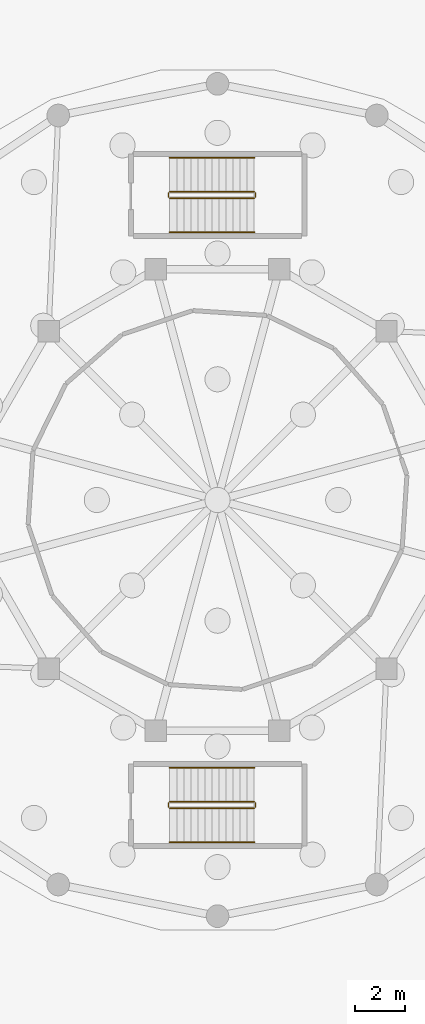
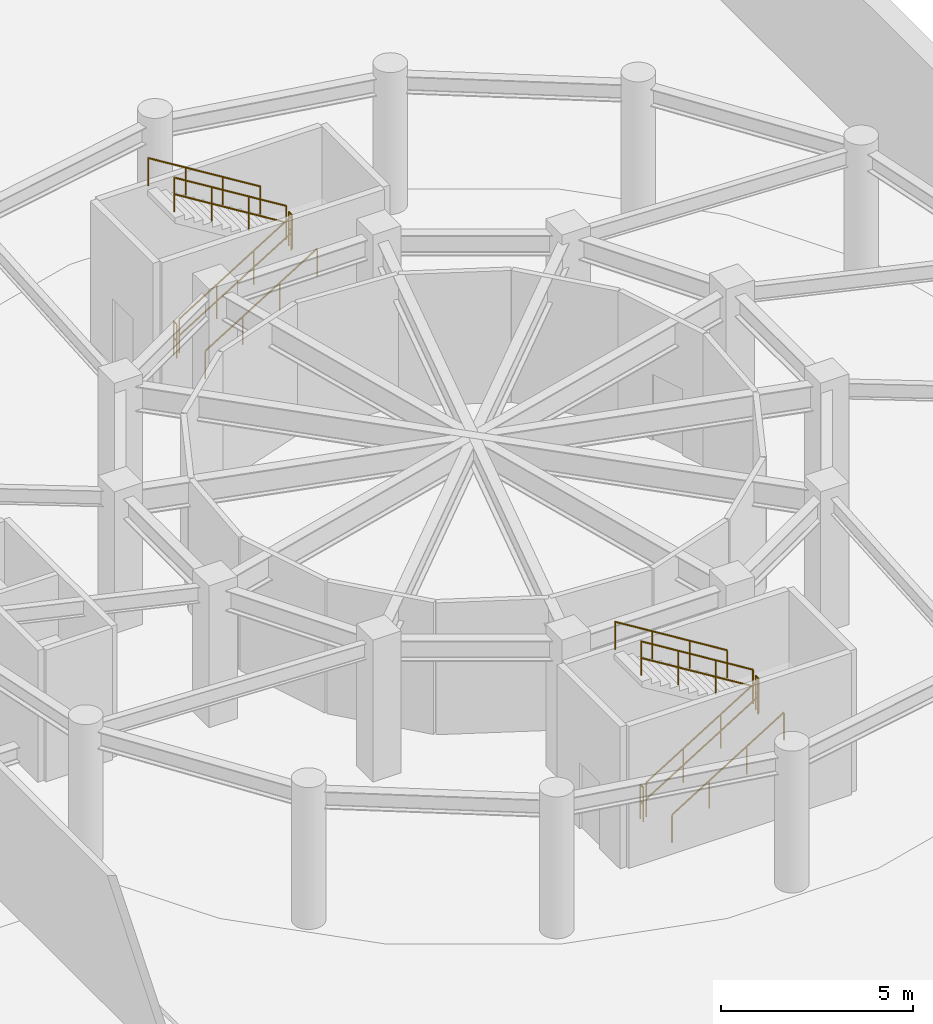
# One storey, part 14 of 15: 12 railings.
"""IFC4 building model written with IfcOpenShell, lengths in metres."""

from ifc_helpers import new_model, si_unit, derived_unit, direction, frame, origin, origin_2d, place, context, subcontext, project, spatial, circle, extrude, material, type_object, element, save


model = new_model("IFC4")

# Units and contexts
model_context = context("Model", 3, precision=1e-05, world=origin(), true_north=direction((0.0, 1.0)))
body_context = subcontext(model_context, "Body", "Model", "MODEL_VIEW")
ifc_project = project(units=[si_unit("LENGTHUNIT", "METRE"), si_unit("AREAUNIT", "SQUARE_METRE"), si_unit("VOLUMEUNIT", "CUBIC_METRE"), si_unit("PLANEANGLEUNIT", "RADIAN"), si_unit("MASSUNIT", "GRAM", prefix="KILO"), derived_unit("THERMALTRANSMITTANCEUNIT", [(si_unit("POWERUNIT", "WATT"), 1), (si_unit("LENGTHUNIT", "METRE"), -2), (si_unit("THERMODYNAMICTEMPERATUREUNIT", "KELVIN"), -1)])], contexts=[model_context])

# Site, building, storey
site_placement = place(None, origin())
site = spatial("IfcSite", under=ifc_project, at=site_placement, CompositionType="ELEMENT")
building_placement = place(site_placement, origin())
building = spatial("IfcBuilding", under=site, at=building_placement, Name="Korsvarv Bourse and Concert Hall", CompositionType="ELEMENT")
storey_placement = place(building_placement, frame((0.0, 0.0, -9.0)))
storey = spatial("IfcBuildingStorey", under=building, at=storey_placement, Name="B02", CompositionType="ELEMENT", Elevation=-9.0)

# Railings
ifc_material_1 = material(Name="Painted Steel S355 stair well guardrail", Category="steel")
railing_type_1 = type_object("IfcRailingType", Name="RL-ST-GRD", PredefinedType="GUARDRAIL", material=ifc_material_1)
railing_1_placement = place(storey_placement, frame((104.89990234375, 48.0, 0.173095703125)))
element("IfcRailing", 1, at=railing_1_placement, inside=storey, type_object=railing_type_1, Name="B02 ST-CH1 stair guard 1", PredefinedType="GUARDRAIL", context=body_context, shape_type="SweptSolid", body=[
    extrude(circle(Radius=0.02392578125, at=origin_2d()), frame((0.0, 0.0, 1.076171875), z_axis=(0.850623216509, 0.0, 0.525775754039), x_axis=(0.0, 1.0, 0.0)), (0.0, 0.0, 1.0), 3.9501953125),
    extrude(circle(Radius=0.02392578125, at=origin_2d()), frame((0.0, 0.0, 0.550048828125), z_axis=(0.850623216509, 0.0, 0.525775754039), x_axis=(0.0, 1.0, 0.0)), (0.0, 0.0, 1.0), 3.9501953125),
    extrude(circle(Radius=0.02099609375, at=origin_2d()), origin(), (0.0, 0.0, 1.0), 1.052001953125),
    extrude(circle(Radius=0.02099609375, at=origin_2d()), frame((1.1201171875, 0.0, 0.6923828125)), (0.0, 0.0, 1.0), 1.052001953125),
    extrude(circle(Radius=0.02099609375, at=origin_2d()), frame((2.239990234375, 0.0, 1.384521484375)), (0.0, 0.0, 1.0), 1.052001953125),
    extrude(circle(Radius=0.02099609375, at=origin_2d()), frame((3.360107421875, 0.0, 2.076904296875)), (0.0, 0.0, 1.0), 1.052001953125),
])
railing_2_placement = place(storey_placement, frame((108.31005859375, 48.050048828125, 2.25)))
element("IfcRailing", 2, at=railing_2_placement, inside=storey, type_object=railing_type_1, Name="B02 ST-CH1 stair guard 2", PredefinedType="GUARDRAIL", context=body_context, shape_type="SweptSolid", body=[
    extrude(circle(Radius=0.02392578125, at=origin_2d()), frame((0.0, 0.0, 1.076171875), z_axis=(0.0, 1.0, 0.0), x_axis=(-1.0, 0.0, 0.0)), (0.0, 0.0, 1.0), 0.159912109375),
    extrude(circle(Radius=0.02392578125, at=origin_2d()), frame((0.0, 0.0, 0.550048828125), z_axis=(0.0, 1.0, 0.0), x_axis=(-1.0, 0.0, 0.0)), (0.0, 0.0, 1.0), 0.159912109375),
    extrude(circle(Radius=0.02099609375, at=origin_2d()), origin(), (0.0, 0.0, 1.0), 1.052001953125),
    extrude(circle(Radius=0.02099609375, at=origin_2d()), frame((0.0, 0.159912109375, 0.0)), (0.0, 0.0, 1.0), 1.052001953125),
])
railing_3_placement = place(storey_placement, frame((108.260009765625, 48.260009765625, 2.423095703125)))
element("IfcRailing", 3, at=railing_3_placement, inside=storey, type_object=railing_type_1, Name="B02 ST-CH1 stair guard 3", PredefinedType="GUARDRAIL", context=body_context, shape_type="SweptSolid", body=[
    extrude(circle(Radius=0.02392578125, at=origin_2d()), frame((0.0, 0.0, 1.076171875), z_axis=(-0.850623216509, 0.0, 0.525775754039), x_axis=(0.0, -1.0, 0.0)), (0.0, 0.0, 1.0), 3.9501953125),
    extrude(circle(Radius=0.02392578125, at=origin_2d()), frame((0.0, 0.0, 0.550048828125), z_axis=(-0.850623216509, 0.0, 0.525775754039), x_axis=(0.0, -1.0, 0.0)), (0.0, 0.0, 1.0), 3.9501953125),
    extrude(circle(Radius=0.02099609375, at=origin_2d()), origin(), (0.0, 0.0, 1.0), 1.052001953125),
    extrude(circle(Radius=0.02099609375, at=origin_2d()), frame((-1.1201171875, 0.0, 0.6923828125)), (0.0, 0.0, 1.0), 1.052001953125),
    extrude(circle(Radius=0.02099609375, at=origin_2d()), frame((-2.239990234375, 0.0, 1.384521484375)), (0.0, 0.0, 1.0), 1.052001953125),
    extrude(circle(Radius=0.02099609375, at=origin_2d()), frame((-3.360107421875, 0.0, 2.076904296875)), (0.0, 0.0, 1.0), 1.052001953125),
])
railing_4_placement = place(storey_placement, frame((104.85009765625, 48.050048828125, 0.0)))
element("IfcRailing", 4, at=railing_4_placement, inside=storey, type_object=railing_type_1, Name="B02 ST-CH1 stair guard 4", PredefinedType="GUARDRAIL", context=body_context, shape_type="SweptSolid", body=[
    extrude(circle(Radius=0.02392578125, at=origin_2d()), frame((0.0, 0.0, 1.076171875), z_axis=(0.0, 1.0, 0.0), x_axis=(-1.0, 0.0, 0.0)), (0.0, 0.0, 1.0), 0.159912109375),
    extrude(circle(Radius=0.02392578125, at=origin_2d()), frame((0.0, 0.0, 0.550048828125), z_axis=(0.0, 1.0, 0.0), x_axis=(-1.0, 0.0, 0.0)), (0.0, 0.0, 1.0), 0.159912109375),
    extrude(circle(Radius=0.02099609375, at=origin_2d()), origin(), (0.0, 0.0, 1.0), 1.052001953125),
    extrude(circle(Radius=0.02099609375, at=origin_2d()), frame((0.0, 0.159912109375, 0.0)), (0.0, 0.0, 1.0), 1.052001953125),
])
railing_5_placement = place(storey_placement, frame((104.89990234375, 23.739990234375, 0.173095703125)))
element("IfcRailing", 5, at=railing_5_placement, inside=storey, type_object=railing_type_1, Name="B02 ST-CH2 stair guard 1", PredefinedType="GUARDRAIL", context=body_context, shape_type="SweptSolid", body=[
    extrude(circle(Radius=0.02392578125, at=origin_2d()), frame((0.0, 0.0, 1.076171875), z_axis=(0.850623216509, 0.0, 0.525775754039), x_axis=(0.0, 1.0, 0.0)), (0.0, 0.0, 1.0), 3.9501953125),
    extrude(circle(Radius=0.02392578125, at=origin_2d()), frame((0.0, 0.0, 0.550048828125), z_axis=(0.850623216509, 0.0, 0.525775754039), x_axis=(0.0, 1.0, 0.0)), (0.0, 0.0, 1.0), 3.9501953125),
    extrude(circle(Radius=0.02099609375, at=origin_2d()), origin(), (0.0, 0.0, 1.0), 1.052001953125),
    extrude(circle(Radius=0.02099609375, at=origin_2d()), frame((1.1201171875, 0.0, 0.6923828125)), (0.0, 0.0, 1.0), 1.052001953125),
    extrude(circle(Radius=0.02099609375, at=origin_2d()), frame((2.239990234375, 0.0, 1.384521484375)), (0.0, 0.0, 1.0), 1.052001953125),
    extrude(circle(Radius=0.02099609375, at=origin_2d()), frame((3.360107421875, 0.0, 2.076904296875)), (0.0, 0.0, 1.0), 1.052001953125),
])
railing_6_placement = place(storey_placement, frame((108.31005859375, 23.7900390625, 2.25)))
element("IfcRailing", 6, at=railing_6_placement, inside=storey, type_object=railing_type_1, Name="B02 ST-CH2 stair guard 2", PredefinedType="GUARDRAIL", context=body_context, shape_type="SweptSolid", body=[
    extrude(circle(Radius=0.02392578125, at=origin_2d()), frame((0.0, 0.0, 1.076171875), z_axis=(0.0, 1.0, 0.0), x_axis=(-1.0, 0.0, 0.0)), (0.0, 0.0, 1.0), 0.159912109375),
    extrude(circle(Radius=0.02392578125, at=origin_2d()), frame((0.0, 0.0, 0.550048828125), z_axis=(0.0, 1.0, 0.0), x_axis=(-1.0, 0.0, 0.0)), (0.0, 0.0, 1.0), 0.159912109375),
    extrude(circle(Radius=0.02099609375, at=origin_2d()), origin(), (0.0, 0.0, 1.0), 1.052001953125),
    extrude(circle(Radius=0.02099609375, at=origin_2d()), frame((0.0, 0.159912109375, 0.0)), (0.0, 0.0, 1.0), 1.052001953125),
])
railing_7_placement = place(storey_placement, frame((108.260009765625, 24.0, 2.423095703125)))
element("IfcRailing", 7, at=railing_7_placement, inside=storey, type_object=railing_type_1, Name="B02 ST-CH2 stair guard 3", PredefinedType="GUARDRAIL", context=body_context, shape_type="SweptSolid", body=[
    extrude(circle(Radius=0.02392578125, at=origin_2d()), frame((0.0, 0.0, 1.076171875), z_axis=(-0.850623216509, 0.0, 0.525775754039), x_axis=(0.0, -1.0, 0.0)), (0.0, 0.0, 1.0), 3.9501953125),
    extrude(circle(Radius=0.02392578125, at=origin_2d()), frame((0.0, 0.0, 0.550048828125), z_axis=(-0.850623216509, 0.0, 0.525775754039), x_axis=(0.0, -1.0, 0.0)), (0.0, 0.0, 1.0), 3.9501953125),
    extrude(circle(Radius=0.02099609375, at=origin_2d()), origin(), (0.0, 0.0, 1.0), 1.052001953125),
    extrude(circle(Radius=0.02099609375, at=origin_2d()), frame((-1.1201171875, 0.0, 0.6923828125)), (0.0, 0.0, 1.0), 1.052001953125),
    extrude(circle(Radius=0.02099609375, at=origin_2d()), frame((-2.239990234375, 0.0, 1.384521484375)), (0.0, 0.0, 1.0), 1.052001953125),
    extrude(circle(Radius=0.02099609375, at=origin_2d()), frame((-3.360107421875, 0.0, 2.076904296875)), (0.0, 0.0, 1.0), 1.052001953125),
])
railing_8_placement = place(storey_placement, frame((104.85009765625, 23.7900390625, 0.0)))
element("IfcRailing", 8, at=railing_8_placement, inside=storey, type_object=railing_type_1, Name="B02 ST-CH2 stair guard 4", PredefinedType="GUARDRAIL", context=body_context, shape_type="SweptSolid", body=[
    extrude(circle(Radius=0.02392578125, at=origin_2d()), frame((0.0, 0.0, 1.076171875), z_axis=(0.0, 1.0, 0.0), x_axis=(-1.0, 0.0, 0.0)), (0.0, 0.0, 1.0), 0.159912109375),
    extrude(circle(Radius=0.02392578125, at=origin_2d()), frame((0.0, 0.0, 0.550048828125), z_axis=(0.0, 1.0, 0.0), x_axis=(-1.0, 0.0, 0.0)), (0.0, 0.0, 1.0), 0.159912109375),
    extrude(circle(Radius=0.02099609375, at=origin_2d()), origin(), (0.0, 0.0, 1.0), 1.052001953125),
    extrude(circle(Radius=0.02099609375, at=origin_2d()), frame((0.0, 0.159912109375, 0.0)), (0.0, 0.0, 1.0), 1.052001953125),
])
ifc_material_2 = material(Name="Brushed stainless Steel S355 tubular handrail", Category="steel")
railing_type_2 = type_object("IfcRailingType", Name="RL-ST-HND", PredefinedType="HANDRAIL", material=ifc_material_2)
railing_9_placement = place(storey_placement, frame((104.89990234375, 46.64990234375, 0.173095703125)))
element("IfcRailing", 9, at=railing_9_placement, inside=storey, type_object=railing_type_2, Name="B02 ST-CH1 stair handrail 1", PredefinedType="HANDRAIL", context=body_context, shape_type="SweptSolid", body=[
    extrude(circle(Radius=0.02392578125, at=origin_2d()), frame((0.0, 0.0, 0.8759765625), z_axis=(0.850623216509, 0.0, 0.525775754039), x_axis=(0.0, 1.0, 0.0)), (0.0, 0.0, 1.0), 3.9501953125),
    extrude(circle(Radius=0.02099609375, at=origin_2d()), origin(), (0.0, 0.0, 1.0), 0.851806640625),
    extrude(circle(Radius=0.02099609375, at=origin_2d()), frame((1.1201171875, 0.0, 0.6923828125)), (0.0, 0.0, 1.0), 0.851806640625),
    extrude(circle(Radius=0.02099609375, at=origin_2d()), frame((2.239990234375, 0.0, 1.384521484375)), (0.0, 0.0, 1.0), 0.851806640625),
    extrude(circle(Radius=0.02099609375, at=origin_2d()), frame((3.360107421875, 0.0, 2.076904296875)), (0.0, 0.0, 1.0), 0.851806640625),
])
railing_10_placement = place(storey_placement, frame((108.260009765625, 49.610107421875, 2.423095703125)))
element("IfcRailing", 10, at=railing_10_placement, inside=storey, type_object=railing_type_2, Name="B02 ST-CH1 stair handrail 2", PredefinedType="HANDRAIL", context=body_context, shape_type="SweptSolid", body=[
    extrude(circle(Radius=0.02392578125, at=origin_2d()), frame((0.0, 0.0, 0.8759765625), z_axis=(-0.850623216509, 0.0, 0.525775754039), x_axis=(0.0, -1.0, 0.0)), (0.0, 0.0, 1.0), 3.9501953125),
    extrude(circle(Radius=0.02099609375, at=origin_2d()), origin(), (0.0, 0.0, 1.0), 0.851806640625),
    extrude(circle(Radius=0.02099609375, at=origin_2d()), frame((-1.1201171875, 0.0, 0.6923828125)), (0.0, 0.0, 1.0), 0.851806640625),
    extrude(circle(Radius=0.02099609375, at=origin_2d()), frame((-2.239990234375, 0.0, 1.384521484375)), (0.0, 0.0, 1.0), 0.851806640625),
    extrude(circle(Radius=0.02099609375, at=origin_2d()), frame((-3.360107421875, 0.0, 2.076904296875)), (0.0, 0.0, 1.0), 0.851806640625),
])
railing_11_placement = place(storey_placement, frame((104.89990234375, 22.389892578125, 0.173095703125)))
element("IfcRailing", 11, at=railing_11_placement, inside=storey, type_object=railing_type_2, Name="B02 ST-CH2 stair handrail 1", PredefinedType="HANDRAIL", context=body_context, shape_type="SweptSolid", body=[
    extrude(circle(Radius=0.02392578125, at=origin_2d()), frame((0.0, 0.0, 0.8759765625), z_axis=(0.850623216509, 0.0, 0.525775754039), x_axis=(0.0, 1.0, 0.0)), (0.0, 0.0, 1.0), 3.9501953125),
    extrude(circle(Radius=0.02099609375, at=origin_2d()), origin(), (0.0, 0.0, 1.0), 0.851806640625),
    extrude(circle(Radius=0.02099609375, at=origin_2d()), frame((1.1201171875, 0.0, 0.6923828125)), (0.0, 0.0, 1.0), 0.851806640625),
    extrude(circle(Radius=0.02099609375, at=origin_2d()), frame((2.239990234375, 0.0, 1.384521484375)), (0.0, 0.0, 1.0), 0.851806640625),
    extrude(circle(Radius=0.02099609375, at=origin_2d()), frame((3.360107421875, 0.0, 2.076904296875)), (0.0, 0.0, 1.0), 0.851806640625),
])
railing_12_placement = place(storey_placement, frame((108.260009765625, 25.35009765625, 2.423095703125)))
element("IfcRailing", 12, at=railing_12_placement, inside=storey, type_object=railing_type_2, Name="B02 ST-CH2 stair handrail 2", PredefinedType="HANDRAIL", context=body_context, shape_type="SweptSolid", body=[
    extrude(circle(Radius=0.02392578125, at=origin_2d()), frame((0.0, 0.0, 0.8759765625), z_axis=(-0.850623216509, 0.0, 0.525775754039), x_axis=(0.0, -1.0, 0.0)), (0.0, 0.0, 1.0), 3.9501953125),
    extrude(circle(Radius=0.02099609375, at=origin_2d()), origin(), (0.0, 0.0, 1.0), 0.851806640625),
    extrude(circle(Radius=0.02099609375, at=origin_2d()), frame((-1.1201171875, 0.0, 0.6923828125)), (0.0, 0.0, 1.0), 0.851806640625),
    extrude(circle(Radius=0.02099609375, at=origin_2d()), frame((-2.239990234375, 0.0, 1.384521484375)), (0.0, 0.0, 1.0), 0.851806640625),
    extrude(circle(Radius=0.02099609375, at=origin_2d()), frame((-3.360107421875, 0.0, 2.076904296875)), (0.0, 0.0, 1.0), 0.851806640625),
])

save(model, "model.ifc")
